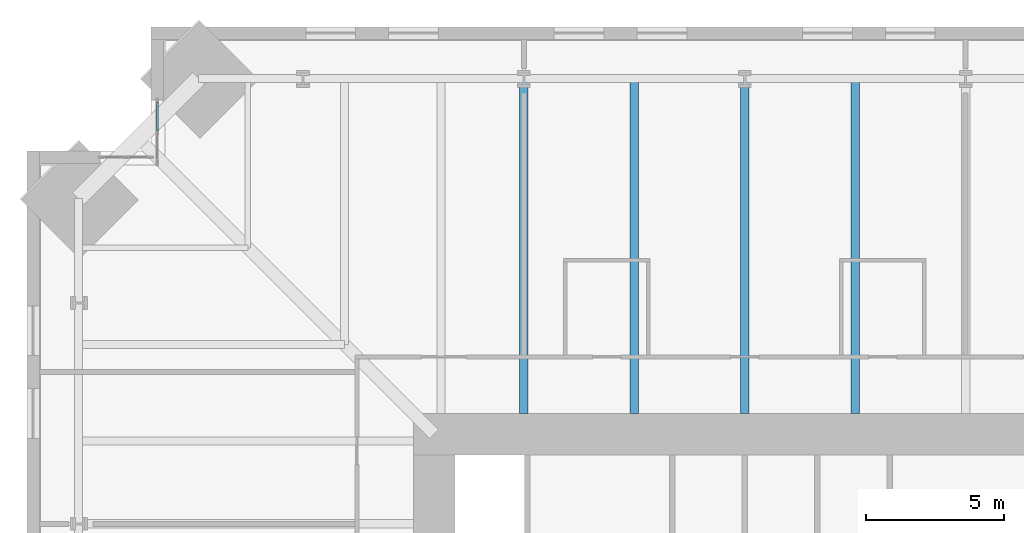
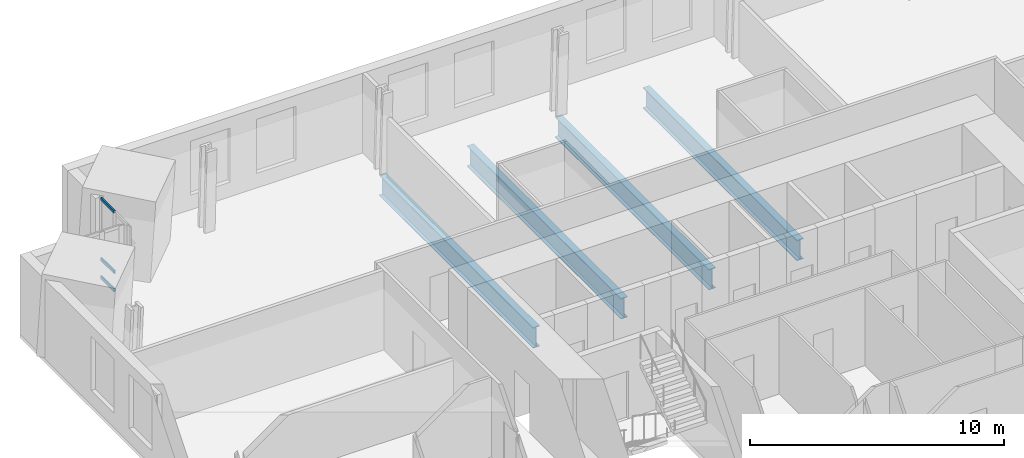
# One storey, part 7 of 18: 4 beams, 3 members, 1 element without a shape of its own.
"""IFC4 building model written with IfcOpenShell, lengths in metres."""

import ifcopenshell
import ifcopenshell.guid

model = None  # the IFC model being written
_history = None  # IfcOwnerHistory: only IFC2X3 demands one
_inside = {}  # id of a spatial element -> (the spatial element, [elements in it])
_under = {}  # id of a project, library or spatial element -> (it, [spatial elements below it])
_declared = {}  # id of a project -> (the project, [libraries it declares])
_typed = {}  # id of a type object -> (the type object, [elements of that type])
_made_of = {}  # id of a material, layer set ... -> (it, [elements and type objects made of it])


def new_model(schema):
    """Start an empty IFC model of exactly this schema.

    Asked for "IFC4X3", IfcOpenShell would pick the latest addendum, in which some entities
    have other attributes; the version numbers below select the first issue.
    IFC2X3 requires an IfcOwnerHistory on every rooted entity: one is made here for all.
    """
    global model, _history
    if schema == "IFC4X3":
        model = ifcopenshell.file(schema_version=(4, 3, 0, 0))
    else:
        model = ifcopenshell.file(schema=schema)
    _inside.clear()
    _under.clear()
    _declared.clear()
    _typed.clear()
    _made_of.clear()
    _history = None
    if model.schema == "IFC2X3":
        org = make("IfcOrganization", Name="unknown")
        user = make(
            "IfcPersonAndOrganization",
            ThePerson=make("IfcPerson", FamilyName="unknown"),
            TheOrganization=org,
        )
        app = make(
            "IfcApplication",
            ApplicationDeveloper=org,
            Version="unknown",
            ApplicationFullName="unknown",
            ApplicationIdentifier="unknown",
        )
        _history = make(
            "IfcOwnerHistory",
            OwningUser=user,
            OwningApplication=app,
            ChangeAction="ADDED",
            CreationDate=0,
        )
    return model


def make(cls, **values):
    """One entity of the class cls with the attributes given. An attribute that is None is left unset."""
    return model.create_entity(
        cls, **{name: value for name, value in values.items() if value is not None}
    )


def rooted(cls, **values):
    """An entity with a GlobalId (a new one), such as an element, a storey or a relation."""
    return make(cls, GlobalId=ifcopenshell.guid.new(), OwnerHistory=_history, **values)


def si_unit(unit_type, name, prefix=None):
    """IfcSIUnit, for example si_unit("LENGTHUNIT", "METRE", prefix="MILLI")."""
    return make("IfcSIUnit", UnitType=unit_type, Prefix=prefix, Name=name)


def assignment(units):
    """IfcUnitAssignment: the units of a project."""
    return None if units is None else make("IfcUnitAssignment", Units=units)


def point(xyz):
    """IfcCartesianPoint."""
    return None if xyz is None else make("IfcCartesianPoint", Coordinates=xyz)


def direction(xyz):
    """IfcDirection."""
    return None if xyz is None else make("IfcDirection", DirectionRatios=xyz)


def frame(location, z_axis=None, x_axis=None):
    """IfcAxis2Placement3D, a coordinate frame: its origin and axes. An axis left out is left unset."""
    return make(
        "IfcAxis2Placement3D",
        Location=point(location),
        Axis=direction(z_axis),
        RefDirection=direction(x_axis),
    )


def frame_2d(location, x_axis=None):
    """IfcAxis2Placement2D, a coordinate frame in the plane: its origin and x axis."""
    return make(
        "IfcAxis2Placement2D", Location=point(location), RefDirection=direction(x_axis)
    )


def origin():
    """The frame at (0, 0, 0) with its axes left unset."""
    return frame((0.0, 0.0, 0.0))


def origin_2d():
    """The frame at (0, 0) in the plane with its x axis left unset."""
    return frame_2d((0.0, 0.0))


def place(relative_to, where):
    """IfcLocalPlacement: puts the frame where relative to a parent placement (None: the world)."""
    return make(
        "IfcLocalPlacement", PlacementRelTo=relative_to, RelativePlacement=where
    )


def context(
    kind, dimensions, precision=None, world=None, true_north=None, identifier=None
):
    """IfcGeometricRepresentationContext, for example the 3D "Model" context."""
    return make(
        "IfcGeometricRepresentationContext",
        ContextIdentifier=identifier,
        ContextType=kind,
        CoordinateSpaceDimension=dimensions,
        Precision=precision,
        WorldCoordinateSystem=world,
        TrueNorth=true_north,
    )


def subcontext(parent, identifier, kind, view, scale=None):
    """IfcGeometricRepresentationSubContext, for example "Body" below "Model"."""
    return make(
        "IfcGeometricRepresentationSubContext",
        ContextIdentifier=identifier,
        ContextType=kind,
        ParentContext=parent,
        TargetScale=scale,
        TargetView=view,
    )


def project(units=None, contexts=None):
    """IfcProject with its units and contexts."""
    return rooted(
        "IfcProject",
        Name="project",
        RepresentationContexts=contexts,
        UnitsInContext=assignment(units),
    )


def spatial(cls, under=None, at=None, **own):
    """A site, building, storey or space (cls), placed at a placement, below another one or the project."""
    s = rooted(cls, ObjectPlacement=at, **own)
    if under is not None:
        _under.setdefault(under.id(), (under, []))[1].append(s)
    return s


def profile(cls, at=None, kind="AREA", **sizes):
    """A parametric profile (cls). Its sizes go by their IFC names, for example OverallWidth=200.0."""
    return make(cls, ProfileType=kind, Position=at, **sizes)


def hollow_rectangle(**sizes):
    """IfcRectangleHollowProfileDef."""
    return profile("IfcRectangleHollowProfileDef", **sizes)


def i_section(**sizes):
    """IfcIShapeProfileDef."""
    return profile("IfcIShapeProfileDef", **sizes)


def extrude(swept, where, along, depth):
    """IfcExtrudedAreaSolid: the profile swept, set in the frame where, extruded along a direction by depth."""
    return make(
        "IfcExtrudedAreaSolid",
        SweptArea=swept,
        Position=where,
        ExtrudedDirection=direction(along),
        Depth=depth,
    )


def shape(context_of_items, identifier, shape_type, items):
    """IfcShapeRepresentation: the items that make up one representation, for example the "Body"."""
    return make(
        "IfcShapeRepresentation",
        ContextOfItems=context_of_items,
        RepresentationIdentifier=identifier,
        RepresentationType=shape_type,
        Items=items,
    )


def material(Name=None, Category=None):
    """IfcMaterial."""
    return make("IfcMaterial", Name=Name, Category=Category)


def material_profile(
    of_material, cross_section, Name=None, Category=None, Priority=None
):
    """IfcMaterialProfile: a cross section and its material."""
    return make(
        "IfcMaterialProfile",
        Name=Name,
        Material=of_material,
        Profile=cross_section,
        Priority=Priority,
        Category=Category,
    )


def profile_set(profiles, Name=None, composite=None):
    """IfcMaterialProfileSet."""
    return make(
        "IfcMaterialProfileSet",
        Name=Name,
        MaterialProfiles=profiles,
        CompositeProfile=composite,
    )


def made_of(thing, what):
    """Note that an element or type object is made of a material, layer set ...; save() writes the relation."""
    if what is not None:
        _made_of.setdefault(what.id(), (what, []))[1].append(thing)
    return thing


def type_object(cls, material=None, **own):
    """A type object (cls), such as IfcWallType, which elements share."""
    return made_of(rooted(cls, **own), material)


def element(
    cls,
    number,
    at=None,
    inside=None,
    cuts=None,
    type_object=None,
    material=None,
    context=None,
    identifier="Body",
    shape_type=None,
    held_by="IfcProductDefinitionShape",
    body=None,
    shapes=None,
    **own,
):
    """One element of the class cls, such as IfcWall. Its Tag is "e" and its number.

    at: its placement. inside: the storey or other place that contains it. cuts: it is an
    opening in that element (IfcRelVoidsElement). A single representation is given by context,
    identifier, shape_type and body (its items); several are given by shapes. held_by: the class
    of the entity that holds the representations. save() writes the other relations.
    """
    e = rooted(cls, Tag="e%d" % number, ObjectPlacement=at, **own)
    if body is not None:
        shapes = [shape(context, identifier, shape_type, body)]
    if shapes is not None:
        e.Representation = make(held_by, Representations=shapes)
    if inside is not None:
        _inside.setdefault(inside.id(), (inside, []))[1].append(e)
    if cuts is not None:
        rooted(
            "IfcRelVoidsElement", RelatingBuildingElement=cuts, RelatedOpeningElement=e
        )
    if type_object is not None:
        _typed.setdefault(type_object.id(), (type_object, []))[1].append(e)
    return made_of(e, material)


def aggregate(whole, parts):
    """IfcRelAggregates: a whole, such as a stair, and the parts it consists of."""
    return rooted("IfcRelAggregates", RelatingObject=whole, RelatedObjects=parts)


def save(model, path):
    """Write the relations noted so far, then the file.

    IfcRelAggregates (storeys below a building ...), IfcRelContainedInSpatialStructure (elements
    in a storey), IfcRelDefinesByType, IfcRelAssociatesMaterial and IfcRelDeclares: one each for
    every whole, place, type object, material and project.
    """
    for whole, parts in _under.values():
        aggregate(whole, parts)
    for where, things in _inside.values():
        rooted(
            "IfcRelContainedInSpatialStructure",
            RelatedElements=things,
            RelatingStructure=where,
        )
    for kind, things in _typed.values():
        rooted("IfcRelDefinesByType", RelatedObjects=things, RelatingType=kind)
    for what, things in _made_of.values():
        rooted("IfcRelAssociatesMaterial", RelatedObjects=things, RelatingMaterial=what)
    for by, libraries in _declared.values():
        rooted("IfcRelDeclares", RelatingContext=by, RelatedDefinitions=libraries)
    model.write(path)


model = new_model("IFC4")

# Units and contexts
model_context = context("Model", 3, precision=1e-05, world=origin(), true_north=direction((0.0, 1.0)))
body_context = subcontext(model_context, "Body", "Model", "MODEL_VIEW")
ifc_project = project(units=[si_unit("LENGTHUNIT", "METRE"), si_unit("AREAUNIT", "SQUARE_METRE"), si_unit("VOLUMEUNIT", "CUBIC_METRE"), si_unit("PLANEANGLEUNIT", "RADIAN"), si_unit("MASSUNIT", "GRAM", prefix="KILO")], contexts=[model_context])

# Site, building, storey
site_placement = place(None, origin())
site = spatial("IfcSite", under=ifc_project, at=site_placement, CompositionType="ELEMENT")
building_placement = place(site_placement, origin())
building = spatial("IfcBuilding", under=site, at=building_placement, Name="Peilmerk Tower", CompositionType="ELEMENT")
storey_placement = place(building_placement, frame((0.0, 0.0, 167.800048828125)))
storey = spatial("IfcBuildingStorey", under=building, at=storey_placement, Name="L35", CompositionType="ELEMENT", Elevation=167.800048828125)

# Beams
ifc_material_1 = material(Name="Steel S355", Category="steel")
ifc_material_profile_1 = material_profile(ifc_material_1, i_section(OverallWidth=0.300048828125, OverallDepth=0.989990234375, WebThickness=0.0166015625, FlangeThickness=0.031005859375, at=origin_2d()), Name="HEA 1000")
ifc_profile_set_1 = profile_set([ifc_material_profile_1], Name="Steel S355")
beam_type = type_object("IfcBeamType", Name="B14 HEA 1000 floor girder", PredefinedType="BEAM", material=ifc_profile_set_1)
for number, where, z_axis, x_axis, name in (
    (1, (4.0, 12.0, -0.6650390625), (0.0, 1.0, 0.0), (-1.0, 0.0, 0.0), "Floor beam L35"),
    (2, (0.0, 12.0, -0.6650390625), (0.0, 1.0, 0.0), (-1.0, 0.0, 0.0), "Floor beam L35"),
    (3, (-4.0, 12.0, -0.6650390625), (0.0, 1.0, 0.0), (-1.0, 0.0, 0.0), "Floor beam L35"),
    (4, (-8.0, 12.0, -0.6650390625), (0.0, 1.0, 0.0), (-1.0, 0.0, 0.0), "Floor beam L35"),
):
    element("IfcBeam", number, at=place(storey_placement, frame(where, z_axis=z_axis, x_axis=x_axis)), inside=storey, type_object=beam_type, Name=name, PredefinedType="BEAM", context=body_context, shape_type="SweptSolid", body=[
        extrude(i_section(OverallWidth=0.300048828125, OverallDepth=0.989990234375, WebThickness=0.0166015625, FlangeThickness=0.031005859375, at=origin_2d()), origin(), (0.0, 0.0, 1.0), 12.130615234375),
    ])

# Curtain wall, members
ifc_material_2 = material(Name="Aluminium stick curtain wall", Category="aluminium")
curtain_wall_type = type_object("IfcCurtainWallType", Name="CW3 stick curtain wall, 2250 module", PredefinedType="NOTDEFINED", material=ifc_material_2)
curtain_wall_placement = place(storey_placement, origin())
curtain_wall = element("IfcCurtainWall", 5, at=curtain_wall_placement, inside=storey, type_object=curtain_wall_type, Name="Curtain wall CW3 NWA L35", PredefinedType="NOTDEFINED")
ifc_material_3 = material(Name="Aluminium EN AW-6063 T6", Category="aluminium")
ifc_material_profile_2 = material_profile(ifc_material_3, hollow_rectangle(XDim=0.06494140625, YDim=0.14990234375, WallThickness=0.0029296875, at=origin_2d()), Name="AL 150x65x3")
ifc_profile_set_2 = profile_set([ifc_material_profile_2], Name="Aluminium EN AW-6063 T6")
member_type = type_object("IfcMemberType", Name="CW3-T AL 150x65x3 transom", PredefinedType="USERDEFINED", material=ifc_profile_set_2)
member_1_placement = place(storey_placement, frame((-21.27490234375, 22.226806640625, 0.032470703125), z_axis=(0.0, 1.0, 0.0), x_axis=(-1.0, 0.0, 0.0)))
member_1 = element("IfcMember", 6, at=member_1_placement, type_object=member_type, Name="CW3 transom 2.1", ObjectType="TRANSOM", PredefinedType="USERDEFINED", context=body_context, shape_type="SweptSolid", body=[
    extrude(hollow_rectangle(XDim=0.06494140625, YDim=0.14990234375, WallThickness=0.0029296875, at=origin_2d()), origin(), (0.0, 0.0, 1.0), 1.046875),
])
member_2_placement = place(storey_placement, frame((-21.27490234375, 22.226806640625, 0.89990234375), z_axis=(0.0, 1.0, 0.0), x_axis=(-1.0, 0.0, 0.0)))
member_2 = element("IfcMember", 7, at=member_2_placement, type_object=member_type, Name="CW3 transom 2.2", ObjectType="TRANSOM", PredefinedType="USERDEFINED", context=body_context, shape_type="SweptSolid", body=[
    extrude(hollow_rectangle(XDim=0.06494140625, YDim=0.14990234375, WallThickness=0.0029296875, at=origin_2d()), origin(), (0.0, 0.0, 1.0), 1.046875),
])
member_3_placement = place(storey_placement, frame((-21.27490234375, 22.226806640625, 3.79736328125), z_axis=(0.0, 1.0, 0.0), x_axis=(-1.0, 0.0, 0.0)))
member_3 = element("IfcMember", 8, at=member_3_placement, type_object=member_type, Name="CW3 transom 2.3", ObjectType="TRANSOM", PredefinedType="USERDEFINED", context=body_context, shape_type="SweptSolid", body=[
    extrude(hollow_rectangle(XDim=0.06494140625, YDim=0.14990234375, WallThickness=0.0029296875, at=origin_2d()), origin(), (0.0, 0.0, 1.0), 1.046875),
])
aggregate(curtain_wall, [member_1, member_2, member_3])

save(model, "model.ifc")
